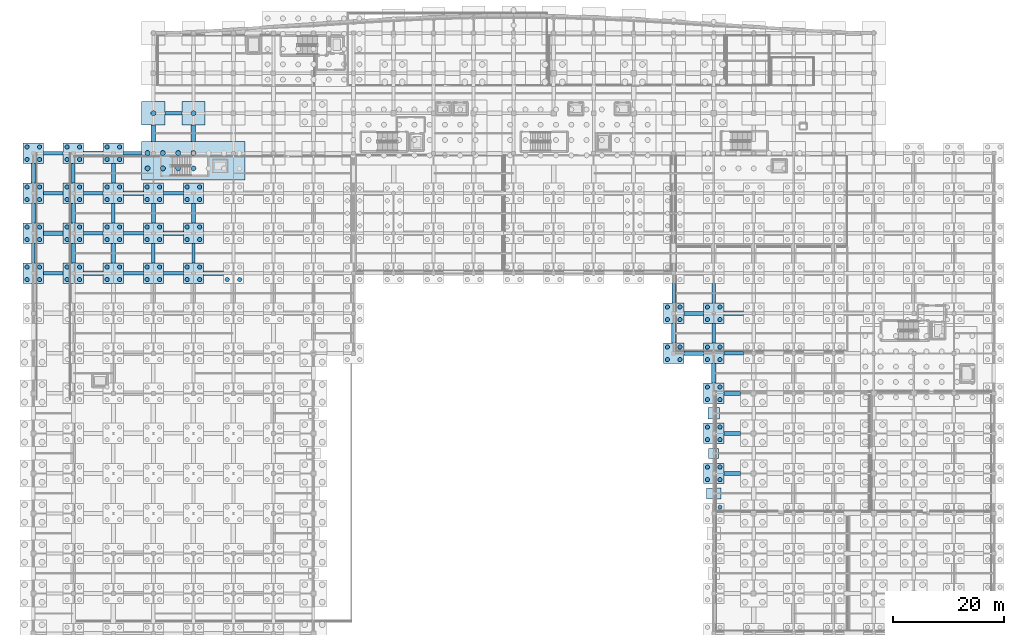
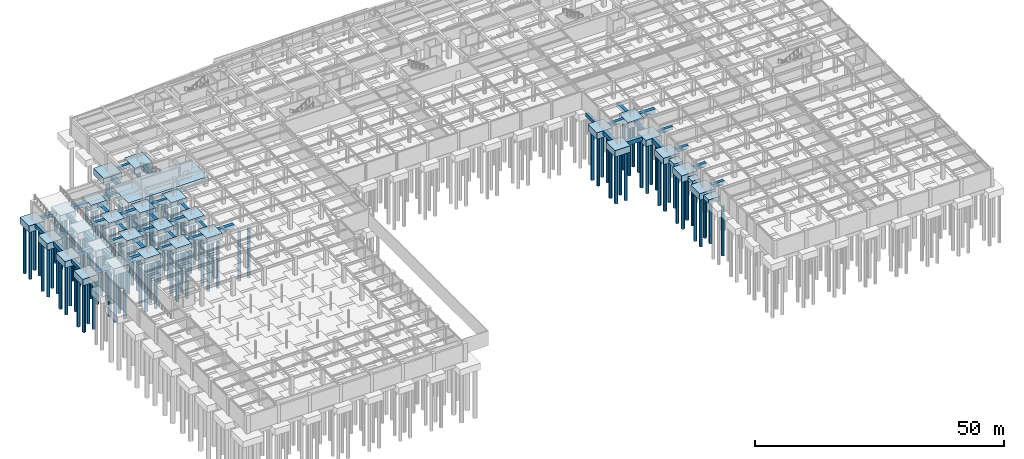
# One storey, part 4 of 48: 113 piles, 75 footings.
"""IFC4 building model written with IfcOpenShell, lengths in metres."""

import ifcopenshell
import ifcopenshell.guid

model = None  # the IFC model being written
_history = None  # IfcOwnerHistory: only IFC2X3 demands one
_inside = {}  # id of a spatial element -> (the spatial element, [elements in it])
_under = {}  # id of a project, library or spatial element -> (it, [spatial elements below it])
_declared = {}  # id of a project -> (the project, [libraries it declares])
_typed = {}  # id of a type object -> (the type object, [elements of that type])
_made_of = {}  # id of a material, layer set ... -> (it, [elements and type objects made of it])


def new_model(schema):
    """Start an empty IFC model of exactly this schema.

    Asked for "IFC4X3", IfcOpenShell would pick the latest addendum, in which some entities
    have other attributes; the version numbers below select the first issue.
    IFC2X3 requires an IfcOwnerHistory on every rooted entity: one is made here for all.
    """
    global model, _history
    if schema == "IFC4X3":
        model = ifcopenshell.file(schema_version=(4, 3, 0, 0))
    else:
        model = ifcopenshell.file(schema=schema)
    _inside.clear()
    _under.clear()
    _declared.clear()
    _typed.clear()
    _made_of.clear()
    _history = None
    if model.schema == "IFC2X3":
        org = make("IfcOrganization", Name="unknown")
        user = make(
            "IfcPersonAndOrganization",
            ThePerson=make("IfcPerson", FamilyName="unknown"),
            TheOrganization=org,
        )
        app = make(
            "IfcApplication",
            ApplicationDeveloper=org,
            Version="unknown",
            ApplicationFullName="unknown",
            ApplicationIdentifier="unknown",
        )
        _history = make(
            "IfcOwnerHistory",
            OwningUser=user,
            OwningApplication=app,
            ChangeAction="ADDED",
            CreationDate=0,
        )
    return model


def make(cls, **values):
    """One entity of the class cls with the attributes given. An attribute that is None is left unset."""
    return model.create_entity(
        cls, **{name: value for name, value in values.items() if value is not None}
    )


def rooted(cls, **values):
    """An entity with a GlobalId (a new one), such as an element, a storey or a relation."""
    return make(cls, GlobalId=ifcopenshell.guid.new(), OwnerHistory=_history, **values)


def si_unit(unit_type, name, prefix=None):
    """IfcSIUnit, for example si_unit("LENGTHUNIT", "METRE", prefix="MILLI")."""
    return make("IfcSIUnit", UnitType=unit_type, Prefix=prefix, Name=name)


def assignment(units):
    """IfcUnitAssignment: the units of a project."""
    return None if units is None else make("IfcUnitAssignment", Units=units)


def point(xyz):
    """IfcCartesianPoint."""
    return None if xyz is None else make("IfcCartesianPoint", Coordinates=xyz)


def direction(xyz):
    """IfcDirection."""
    return None if xyz is None else make("IfcDirection", DirectionRatios=xyz)


def frame(location, z_axis=None, x_axis=None):
    """IfcAxis2Placement3D, a coordinate frame: its origin and axes. An axis left out is left unset."""
    return make(
        "IfcAxis2Placement3D",
        Location=point(location),
        Axis=direction(z_axis),
        RefDirection=direction(x_axis),
    )


def frame_2d(location, x_axis=None):
    """IfcAxis2Placement2D, a coordinate frame in the plane: its origin and x axis."""
    return make(
        "IfcAxis2Placement2D", Location=point(location), RefDirection=direction(x_axis)
    )


def origin():
    """The frame at (0, 0, 0) with its axes left unset."""
    return frame((0.0, 0.0, 0.0))


def origin_2d():
    """The frame at (0, 0) in the plane with its x axis left unset."""
    return frame_2d((0.0, 0.0))


def place(relative_to, where):
    """IfcLocalPlacement: puts the frame where relative to a parent placement (None: the world)."""
    return make(
        "IfcLocalPlacement", PlacementRelTo=relative_to, RelativePlacement=where
    )


def context(
    kind, dimensions, precision=None, world=None, true_north=None, identifier=None
):
    """IfcGeometricRepresentationContext, for example the 3D "Model" context."""
    return make(
        "IfcGeometricRepresentationContext",
        ContextIdentifier=identifier,
        ContextType=kind,
        CoordinateSpaceDimension=dimensions,
        Precision=precision,
        WorldCoordinateSystem=world,
        TrueNorth=true_north,
    )


def subcontext(parent, identifier, kind, view, scale=None):
    """IfcGeometricRepresentationSubContext, for example "Body" below "Model"."""
    return make(
        "IfcGeometricRepresentationSubContext",
        ContextIdentifier=identifier,
        ContextType=kind,
        ParentContext=parent,
        TargetScale=scale,
        TargetView=view,
    )


def project(units=None, contexts=None):
    """IfcProject with its units and contexts."""
    return rooted(
        "IfcProject",
        Name="project",
        RepresentationContexts=contexts,
        UnitsInContext=assignment(units),
    )


def spatial(cls, under=None, at=None, **own):
    """A site, building, storey or space (cls), placed at a placement, below another one or the project."""
    s = rooted(cls, ObjectPlacement=at, **own)
    if under is not None:
        _under.setdefault(under.id(), (under, []))[1].append(s)
    return s


def profile(cls, at=None, kind="AREA", **sizes):
    """A parametric profile (cls). Its sizes go by their IFC names, for example OverallWidth=200.0."""
    return make(cls, ProfileType=kind, Position=at, **sizes)


def rectangle(**sizes):
    """IfcRectangleProfileDef."""
    return profile("IfcRectangleProfileDef", **sizes)


def circle(**sizes):
    """IfcCircleProfileDef."""
    return profile("IfcCircleProfileDef", **sizes)


def extrude(swept, where, along, depth):
    """IfcExtrudedAreaSolid: the profile swept, set in the frame where, extruded along a direction by depth."""
    return make(
        "IfcExtrudedAreaSolid",
        SweptArea=swept,
        Position=where,
        ExtrudedDirection=direction(along),
        Depth=depth,
    )


def shape(context_of_items, identifier, shape_type, items):
    """IfcShapeRepresentation: the items that make up one representation, for example the "Body"."""
    return make(
        "IfcShapeRepresentation",
        ContextOfItems=context_of_items,
        RepresentationIdentifier=identifier,
        RepresentationType=shape_type,
        Items=items,
    )


def material(Name=None, Category=None):
    """IfcMaterial."""
    return make("IfcMaterial", Name=Name, Category=Category)


def material_profile(
    of_material, cross_section, Name=None, Category=None, Priority=None
):
    """IfcMaterialProfile: a cross section and its material."""
    return make(
        "IfcMaterialProfile",
        Name=Name,
        Material=of_material,
        Profile=cross_section,
        Priority=Priority,
        Category=Category,
    )


def profile_set(profiles, Name=None, composite=None):
    """IfcMaterialProfileSet."""
    return make(
        "IfcMaterialProfileSet",
        Name=Name,
        MaterialProfiles=profiles,
        CompositeProfile=composite,
    )


def made_of(thing, what):
    """Note that an element or type object is made of a material, layer set ...; save() writes the relation."""
    if what is not None:
        _made_of.setdefault(what.id(), (what, []))[1].append(thing)
    return thing


def type_object(cls, material=None, **own):
    """A type object (cls), such as IfcWallType, which elements share."""
    return made_of(rooted(cls, **own), material)


def element(
    cls,
    number,
    at=None,
    inside=None,
    cuts=None,
    type_object=None,
    material=None,
    context=None,
    identifier="Body",
    shape_type=None,
    held_by="IfcProductDefinitionShape",
    body=None,
    shapes=None,
    **own,
):
    """One element of the class cls, such as IfcWall. Its Tag is "e" and its number.

    at: its placement. inside: the storey or other place that contains it. cuts: it is an
    opening in that element (IfcRelVoidsElement). A single representation is given by context,
    identifier, shape_type and body (its items); several are given by shapes. held_by: the class
    of the entity that holds the representations. save() writes the other relations.
    """
    e = rooted(cls, Tag="e%d" % number, ObjectPlacement=at, **own)
    if body is not None:
        shapes = [shape(context, identifier, shape_type, body)]
    if shapes is not None:
        e.Representation = make(held_by, Representations=shapes)
    if inside is not None:
        _inside.setdefault(inside.id(), (inside, []))[1].append(e)
    if cuts is not None:
        rooted(
            "IfcRelVoidsElement", RelatingBuildingElement=cuts, RelatedOpeningElement=e
        )
    if type_object is not None:
        _typed.setdefault(type_object.id(), (type_object, []))[1].append(e)
    return made_of(e, material)


def aggregate(whole, parts):
    """IfcRelAggregates: a whole, such as a stair, and the parts it consists of."""
    return rooted("IfcRelAggregates", RelatingObject=whole, RelatedObjects=parts)


def save(model, path):
    """Write the relations noted so far, then the file.

    IfcRelAggregates (storeys below a building ...), IfcRelContainedInSpatialStructure (elements
    in a storey), IfcRelDefinesByType, IfcRelAssociatesMaterial and IfcRelDeclares: one each for
    every whole, place, type object, material and project.
    """
    for whole, parts in _under.values():
        aggregate(whole, parts)
    for where, things in _inside.values():
        rooted(
            "IfcRelContainedInSpatialStructure",
            RelatedElements=things,
            RelatingStructure=where,
        )
    for kind, things in _typed.values():
        rooted("IfcRelDefinesByType", RelatedObjects=things, RelatingType=kind)
    for what, things in _made_of.values():
        rooted("IfcRelAssociatesMaterial", RelatedObjects=things, RelatingMaterial=what)
    for by, libraries in _declared.values():
        rooted("IfcRelDeclares", RelatingContext=by, RelatedDefinitions=libraries)
    model.write(path)


model = new_model("IFC4")

# Units and contexts
model_context = context("Model", 3, precision=1e-05, world=origin(), true_north=direction((0.0, 1.0)))
body_context = subcontext(model_context, "Body", "Model", "MODEL_VIEW")
ifc_project = project(units=[si_unit("LENGTHUNIT", "METRE"), si_unit("AREAUNIT", "SQUARE_METRE"), si_unit("VOLUMEUNIT", "CUBIC_METRE"), si_unit("PLANEANGLEUNIT", "RADIAN"), si_unit("MASSUNIT", "GRAM", prefix="KILO")], contexts=[model_context])

# Site, building, storey
site_placement = place(None, origin())
site = spatial("IfcSite", under=ifc_project, at=site_placement, CompositionType="ELEMENT")
building_placement = place(site_placement, origin())
building = spatial("IfcBuilding", under=site, at=building_placement, Name="Carrowvane Square Congress Hotel", CompositionType="ELEMENT")
storey_placement = place(building_placement, frame((0.0, 0.0, -4.5)))
storey = spatial("IfcBuildingStorey", under=building, at=storey_placement, Name="B01", CompositionType="ELEMENT", Elevation=-4.5)

# Footings
ifc_material_1 = material(Name="Concrete C35/45", Category="concrete")
ifc_material_profile_1 = material_profile(ifc_material_1, rectangle(XDim=0.60009765625, YDim=0.800048828125, at=origin_2d()), Name="RC 600x800")
ifc_profile_set_1 = profile_set([ifc_material_profile_1], Name="Concrete C35/45")
footing_type_1 = type_object("IfcFootingType", Name="FTG-BM-600x800", PredefinedType="FOOTING_BEAM", material=ifc_profile_set_1)
for number, where, z_axis, x_axis, name in (
    (1, (11.60009765625, 72.02490234375, -0.39990234375), (0.0, 1.0, 0.0), (-1.0, 0.0, 0.0), "Ground tie beam 10"),
    (2, (18.800048828125, 86.425048828125, -0.39990234375), (0.0, 1.0, 0.0), (-1.0, 0.0, 0.0), "Ground tie beam 24"),
):
    element("IfcFooting", number, at=place(storey_placement, frame(where, z_axis=z_axis, x_axis=x_axis)), inside=storey, type_object=footing_type_1, Name=name, PredefinedType="FOOTING_BEAM", context=body_context, shape_type="SweptSolid", body=[
        extrude(rectangle(XDim=0.60009765625, YDim=0.800048828125, at=origin_2d()), origin(), (0.0, 0.0, 1.0), 3.550048828125),
    ])
footing_1_placement = place(storey_placement, frame((26.0, 79.22509765625, -0.39990234375), z_axis=(0.0, 1.0, 0.0), x_axis=(-1.0, 0.0, 0.0)))
element("IfcFooting", 3, at=footing_1_placement, inside=storey, type_object=footing_type_1, Name="Ground tie beam 35", PredefinedType="FOOTING_BEAM", context=body_context, shape_type="SweptSolid", body=[
    extrude(rectangle(XDim=0.60009765625, YDim=0.800048828125, at=origin_2d()), origin(), (0.0, 0.0, 1.0), 3.5498046875),
])
for number, where, z_axis, x_axis, name in (
    (4, (33.199951171875, 72.02490234375, -0.39990234375), (0.0, 1.0, 0.0), (-1.0, 0.0, 0.0), "Ground tie beam 46"),
    (5, (40.39990234375, 72.02490234375, -0.39990234375), (0.0, 1.0, 0.0), (-1.0, 0.0, 0.0), "Ground tie beam 60"),
    (6, (126.800048828125, 64.824951171875, -0.39990234375), (0.0, 1.0, 0.0), (-1.0, 0.0, 0.0), "Ground tie beam 141"),
    (7, (134.0, 57.625, -0.39990234375), (0.0, 1.0, 0.0), (-1.0, 0.0, 0.0), "Ground tie beam 149"),
    (8, (135.824951171875, 55.800048828125, -0.39990234375), (1.0, 0.0, 0.0), (0.0, 1.0, 0.0), "Ground tie beam 348"),
    (9, (27.824951171875, 70.199951171875, -0.39990234375), (1.0, 0.0, 0.0), (0.0, 1.0, 0.0), "Ground tie beam 370"),
    (10, (20.625, 77.39990234375, -0.39990234375), (1.0, 0.0, 0.0), (0.0, 1.0, 0.0), "Ground tie beam 393"),
    (11, (13.425048828125, 84.60009765625, -0.39990234375), (1.0, 0.0, 0.0), (0.0, 1.0, 0.0), "Ground tie beam 416"),
    (12, (35.02490234375, 84.60009765625, -0.39990234375), (1.0, 0.0, 0.0), (0.0, 1.0, 0.0), "Ground tie beam 419"),
):
    element("IfcFooting", number, at=place(storey_placement, frame(where, z_axis=z_axis, x_axis=x_axis)), inside=storey, type_object=footing_type_1, Name=name, PredefinedType="FOOTING_BEAM", context=body_context, shape_type="SweptSolid", body=[
        extrude(rectangle(XDim=0.60009765625, YDim=0.800048828125, at=origin_2d()), origin(), (0.0, 0.0, 1.0), 3.550048828125),
    ])
footing_2_placement = place(storey_placement, frame((27.824951171875, 91.800048828125, -0.39990234375), z_axis=(1.0, 0.0, 0.0), x_axis=(0.0, 1.0, 0.0)))
element("IfcFooting", 13, at=footing_2_placement, inside=storey, type_object=footing_type_1, Name="Ground tie beam 442", PredefinedType="FOOTING_BEAM", context=body_context, shape_type="SweptSolid", body=[
    extrude(rectangle(XDim=0.60009765625, YDim=0.800048828125, at=origin_2d()), origin(), (0.0, 0.0, 1.0), 3.275146484375),
])
footing_3_placement = place(storey_placement, frame((35.300048828125, 99.0, -0.39990234375), z_axis=(1.0, 0.0, 0.0), x_axis=(0.0, 1.0, 0.0)))
element("IfcFooting", 14, at=footing_3_placement, inside=storey, type_object=footing_type_1, Name="Ground tie beam 453", PredefinedType="FOOTING_BEAM", context=body_context, shape_type="SweptSolid", body=[
    extrude(rectangle(XDim=0.60009765625, YDim=0.800048828125, at=origin_2d()), origin(), (0.0, 0.0, 1.0), 3.0),
])
ifc_material_2 = material(Name="Concrete C35/45", Category="concrete")
ifc_material_profile_2 = material_profile(ifc_material_2, rectangle(XDim=0.699951171875, YDim=0.89990234375, at=origin_2d()), Name="RC 700x900")
ifc_profile_set_2 = profile_set([ifc_material_profile_2], Name="Concrete C35/45")
footing_type_2 = type_object("IfcFootingType", Name="FTG-BM-700x900", PredefinedType="FOOTING_BEAM", material=ifc_profile_set_2)
footing_4_placement = place(storey_placement, frame((11.60009765625, 79.22509765625, -0.449951171875), z_axis=(0.0, 1.0, 0.0), x_axis=(-1.0, 0.0, 0.0)))
element("IfcFooting", 15, at=footing_4_placement, inside=storey, type_object=footing_type_2, Name="Ground tie beam 11", PredefinedType="FOOTING_BEAM", context=body_context, shape_type="SweptSolid", body=[
    extrude(rectangle(XDim=0.699951171875, YDim=0.89990234375, at=origin_2d()), origin(), (0.0, 0.0, 1.0), 3.5498046875),
])
for number, where, z_axis, x_axis, name in (
    (16, (18.800048828125, 72.02490234375, -0.449951171875), (0.0, 1.0, 0.0), (-1.0, 0.0, 0.0), "Ground tie beam 22"),
    (17, (26.0, 86.425048828125, -0.449951171875), (0.0, 1.0, 0.0), (-1.0, 0.0, 0.0), "Ground tie beam 36"),
):
    element("IfcFooting", number, at=place(storey_placement, frame(where, z_axis=z_axis, x_axis=x_axis)), inside=storey, type_object=footing_type_2, Name=name, PredefinedType="FOOTING_BEAM", context=body_context, shape_type="SweptSolid", body=[
        extrude(rectangle(XDim=0.699951171875, YDim=0.89990234375, at=origin_2d()), origin(), (0.0, 0.0, 1.0), 3.550048828125),
    ])
for number, where, z_axis, x_axis, name in (
    (18, (33.199951171875, 79.22509765625, -0.449951171875), (0.0, 1.0, 0.0), (-1.0, 0.0, 0.0), "Ground tie beam 47"),
    (19, (40.39990234375, 79.22509765625, -0.449951171875), (0.0, 1.0, 0.0), (-1.0, 0.0, 0.0), "Ground tie beam 61"),
):
    element("IfcFooting", number, at=place(storey_placement, frame(where, z_axis=z_axis, x_axis=x_axis)), inside=storey, type_object=footing_type_2, Name=name, PredefinedType="FOOTING_BEAM", context=body_context, shape_type="SweptSolid", body=[
        extrude(rectangle(XDim=0.699951171875, YDim=0.89990234375, at=origin_2d()), origin(), (0.0, 0.0, 1.0), 3.5498046875),
    ])
footing_5_placement = place(storey_placement, frame((134.0, 64.824951171875, -0.449951171875), z_axis=(0.0, 1.0, 0.0), x_axis=(-1.0, 0.0, 0.0)))
element("IfcFooting", 20, at=footing_5_placement, inside=storey, type_object=footing_type_2, Name="Ground tie beam 150", PredefinedType="FOOTING_BEAM", context=body_context, shape_type="SweptSolid", body=[
    extrude(rectangle(XDim=0.699951171875, YDim=0.89990234375, at=origin_2d()), origin(), (0.0, 0.0, 1.0), 3.550048828125),
])
for number, where, z_axis, x_axis, name in (
    (21, (135.824951171875, 34.199951171875, -0.449951171875), (1.0, 0.0, 0.0), (0.0, 1.0, 0.0), "Ground tie beam 307"),
    (22, (135.824951171875, 41.39990234375, -0.449951171875), (1.0, 0.0, 0.0), (0.0, 1.0, 0.0), "Ground tie beam 321"),
    (23, (135.824951171875, 48.60009765625, -0.449951171875), (1.0, 0.0, 0.0), (0.0, 1.0, 0.0), "Ground tie beam 335"),
):
    element("IfcFooting", number, at=place(storey_placement, frame(where, z_axis=z_axis, x_axis=x_axis)), inside=storey, type_object=footing_type_2, Name=name, PredefinedType="FOOTING_BEAM", context=body_context, shape_type="SweptSolid", body=[
        extrude(rectangle(XDim=0.699951171875, YDim=0.89990234375, at=origin_2d()), origin(), (0.0, 0.0, 1.0), 2.97509765625),
    ])
for number, where, z_axis, x_axis, name in (
    (24, (128.625, 63.0, -0.449951171875), (1.0, 0.0, 0.0), (0.0, 1.0, 0.0), "Ground tie beam 360"),
    (25, (13.425048828125, 70.199951171875, -0.449951171875), (1.0, 0.0, 0.0), (0.0, 1.0, 0.0), "Ground tie beam 368"),
    (26, (35.02490234375, 70.199951171875, -0.449951171875), (1.0, 0.0, 0.0), (0.0, 1.0, 0.0), "Ground tie beam 371"),
    (27, (27.824951171875, 77.39990234375, -0.449951171875), (1.0, 0.0, 0.0), (0.0, 1.0, 0.0), "Ground tie beam 394"),
    (28, (20.625, 84.60009765625, -0.449951171875), (1.0, 0.0, 0.0), (0.0, 1.0, 0.0), "Ground tie beam 417"),
    (29, (13.425048828125, 91.800048828125, -0.449951171875), (1.0, 0.0, 0.0), (0.0, 1.0, 0.0), "Ground tie beam 440"),
):
    element("IfcFooting", number, at=place(storey_placement, frame(where, z_axis=z_axis, x_axis=x_axis)), inside=storey, type_object=footing_type_2, Name=name, PredefinedType="FOOTING_BEAM", context=body_context, shape_type="SweptSolid", body=[
        extrude(rectangle(XDim=0.699951171875, YDim=0.89990234375, at=origin_2d()), origin(), (0.0, 0.0, 1.0), 3.550048828125),
    ])
ifc_material_3 = material(Name="Concrete C35/45", Category="concrete")
ifc_material_profile_3 = material_profile(ifc_material_3, rectangle(XDim=0.800048828125, YDim=1.0, at=origin_2d()), Name="RC 800x1000")
ifc_profile_set_3 = profile_set([ifc_material_profile_3], Name="Concrete C35/45")
footing_type_3 = type_object("IfcFootingType", Name="FTG-BM-800x1000", PredefinedType="FOOTING_BEAM", material=ifc_profile_set_3)
footing_6_placement = place(storey_placement, frame((11.60009765625, 86.425048828125, -0.5), z_axis=(0.0, 1.0, 0.0), x_axis=(-1.0, 0.0, 0.0)))
element("IfcFooting", 30, at=footing_6_placement, inside=storey, type_object=footing_type_3, Name="Ground tie beam 12", PredefinedType="FOOTING_BEAM", context=body_context, shape_type="SweptSolid", body=[
    extrude(rectangle(XDim=0.800048828125, YDim=1.0, at=origin_2d()), origin(), (0.0, 0.0, 1.0), 3.550048828125),
])
footing_7_placement = place(storey_placement, frame((18.800048828125, 79.22509765625, -0.5), z_axis=(0.0, 1.0, 0.0), x_axis=(-1.0, 0.0, 0.0)))
element("IfcFooting", 31, at=footing_7_placement, inside=storey, type_object=footing_type_3, Name="Ground tie beam 23", PredefinedType="FOOTING_BEAM", context=body_context, shape_type="SweptSolid", body=[
    extrude(rectangle(XDim=0.800048828125, YDim=1.0, at=origin_2d()), origin(), (0.0, 0.0, 1.0), 3.5498046875),
])
footing_8_placement = place(storey_placement, frame((26.0, 72.02490234375, -0.5), z_axis=(0.0, 1.0, 0.0), x_axis=(-1.0, 0.0, 0.0)))
element("IfcFooting", 32, at=footing_8_placement, inside=storey, type_object=footing_type_3, Name="Ground tie beam 34", PredefinedType="FOOTING_BEAM", context=body_context, shape_type="SweptSolid", body=[
    extrude(rectangle(XDim=0.800048828125, YDim=1.0, at=origin_2d()), origin(), (0.0, 0.0, 1.0), 3.550048828125),
])
for number, where, z_axis, x_axis, name in (
    (33, (33.199951171875, 93.89990234375, -0.5), (0.0, 1.0, 0.0), (-1.0, 0.0, 0.0), "Ground tie beam 48"),
    (34, (40.39990234375, 93.89990234375, -0.5), (0.0, 1.0, 0.0), (-1.0, 0.0, 0.0), "Ground tie beam 62"),
):
    element("IfcFooting", number, at=place(storey_placement, frame(where, z_axis=z_axis, x_axis=x_axis)), inside=storey, type_object=footing_type_3, Name=name, PredefinedType="FOOTING_BEAM", context=body_context, shape_type="SweptSolid", body=[
        extrude(rectangle(XDim=0.800048828125, YDim=1.0, at=origin_2d()), origin(), (0.0, 0.0, 1.0), 3.0),
    ])
for number, where, z_axis, x_axis, name in (
    (35, (126.800048828125, 57.625, -0.5), (0.0, 1.0, 0.0), (-1.0, 0.0, 0.0), "Ground tie beam 140"),
    (36, (134.0, 50.425048828125, -0.5), (0.0, 1.0, 0.0), (-1.0, 0.0, 0.0), "Ground tie beam 148"),
    (37, (128.625, 55.800048828125, -0.5), (1.0, 0.0, 0.0), (0.0, 1.0, 0.0), "Ground tie beam 347"),
    (38, (135.824951171875, 63.0, -0.5), (1.0, 0.0, 0.0), (0.0, 1.0, 0.0), "Ground tie beam 361"),
    (39, (20.625, 70.199951171875, -0.5), (1.0, 0.0, 0.0), (0.0, 1.0, 0.0), "Ground tie beam 369"),
):
    element("IfcFooting", number, at=place(storey_placement, frame(where, z_axis=z_axis, x_axis=x_axis)), inside=storey, type_object=footing_type_3, Name=name, PredefinedType="FOOTING_BEAM", context=body_context, shape_type="SweptSolid", body=[
        extrude(rectangle(XDim=0.800048828125, YDim=1.0, at=origin_2d()), origin(), (0.0, 0.0, 1.0), 3.550048828125),
    ])
footing_9_placement = place(storey_placement, frame((42.22509765625, 70.199951171875, -0.5), z_axis=(1.0, 0.0, 0.0), x_axis=(0.0, 1.0, 0.0)))
element("IfcFooting", 40, at=footing_9_placement, inside=storey, type_object=footing_type_3, Name="Ground tie beam 372", PredefinedType="FOOTING_BEAM", context=body_context, shape_type="SweptSolid", body=[
    extrude(rectangle(XDim=0.800048828125, YDim=1.0, at=origin_2d()), origin(), (0.0, 0.0, 1.0), 3.5498046875),
])
for number, where, z_axis, x_axis, name in (
    (41, (13.425048828125, 77.39990234375, -0.5), (1.0, 0.0, 0.0), (0.0, 1.0, 0.0), "Ground tie beam 392"),
    (42, (35.02490234375, 77.39990234375, -0.5), (1.0, 0.0, 0.0), (0.0, 1.0, 0.0), "Ground tie beam 395"),
    (43, (27.824951171875, 84.60009765625, -0.5), (1.0, 0.0, 0.0), (0.0, 1.0, 0.0), "Ground tie beam 418"),
    (44, (20.625, 91.800048828125, -0.5), (1.0, 0.0, 0.0), (0.0, 1.0, 0.0), "Ground tie beam 441"),
):
    element("IfcFooting", number, at=place(storey_placement, frame(where, z_axis=z_axis, x_axis=x_axis)), inside=storey, type_object=footing_type_3, Name=name, PredefinedType="FOOTING_BEAM", context=body_context, shape_type="SweptSolid", body=[
        extrude(rectangle(XDim=0.800048828125, YDim=1.0, at=origin_2d()), origin(), (0.0, 0.0, 1.0), 3.550048828125),
    ])
ifc_material_4 = material(Name="Concrete C35/45", Category="concrete")
footing_type_4 = type_object("IfcFootingType", Name="FTG-PAD-1800", PredefinedType="PAD_FOOTING", material=ifc_material_4)
footing_10_placement = place(storey_placement, frame((134.0, 37.800048828125, -0.89990234375), z_axis=(0.0, 0.0, 1.0), x_axis=(1.0, 0.0, 0.0)))
element("IfcFooting", 45, at=footing_10_placement, inside=storey, type_object=footing_type_4, Name="Colonnade pad footing 9", PredefinedType="PAD_FOOTING", context=body_context, shape_type="SweptSolid", body=[
    extrude(rectangle(XDim=1.800048828125, YDim=1.800048828125, at=origin_2d()), origin(), (0.0, 0.0, 1.0), 0.89990234375),
])
ifc_material_5 = material(Name="Concrete C35/45", Category="concrete")
footing_type_5 = type_object("IfcFootingType", Name="FTG-PAD-2100", PredefinedType="PAD_FOOTING", material=ifc_material_5)
footing_11_placement = place(storey_placement, frame((134.0, 45.0, -1.0), z_axis=(0.0, 0.0, 1.0), x_axis=(1.0, 0.0, 0.0)))
element("IfcFooting", 46, at=footing_11_placement, inside=storey, type_object=footing_type_5, Name="Colonnade pad footing 10", PredefinedType="PAD_FOOTING", context=body_context, shape_type="SweptSolid", body=[
    extrude(rectangle(XDim=2.10009765625, YDim=2.10009765625, at=origin_2d()), origin(), (0.0, 0.0, 1.0), 1.0),
])
ifc_material_6 = material(Name="Concrete C35/45", Category="concrete")
footing_type_6 = type_object("IfcFootingType", Name="FTG-PAD-2600x2000", PredefinedType="PAD_FOOTING", material=ifc_material_6)
footing_12_placement = place(storey_placement, frame((134.0, 30.60009765625, -1.0), z_axis=(0.0, 0.0, 1.0), x_axis=(1.0, 0.0, 0.0)))
element("IfcFooting", 47, at=footing_12_placement, inside=storey, type_object=footing_type_6, Name="Colonnade pad footing 8", PredefinedType="PAD_FOOTING", context=body_context, shape_type="SweptSolid", body=[
    extrude(rectangle(XDim=2.60009765625, YDim=2.0, at=origin_2d()), origin(), (0.0, 0.0, 1.0), 1.0),
])
ifc_material_7 = material(Name="Concrete C35/45", Category="concrete")
footing_type_7 = type_object("IfcFootingType", Name="FTG-PC-02", PredefinedType="PILE_CAP", material=ifc_material_7)
for number, where, z_axis, x_axis, name in (
    (48, (134.0, 34.199951171875, -1.60009765625), (0.0, 0.0, 1.0), (1.0, 0.0, 0.0), "B01 PC-2 76"),
    (49, (134.0, 41.39990234375, -1.60009765625), (0.0, 0.0, 1.0), (1.0, 0.0, 0.0), "B01 PC-2 92"),
    (50, (134.0, 48.60009765625, -1.60009765625), (0.0, 0.0, 1.0), (1.0, 0.0, 0.0), "B01 PC-2 107"),
    (51, (126.800048828125, 55.800048828125, -1.60009765625), (0.0, 0.0, 1.0), (1.0, 0.0, 0.0), "B01 PC-2 120"),
    (52, (134.0, 55.800048828125, -1.60009765625), (0.0, 0.0, 1.0), (1.0, 0.0, 0.0), "B01 PC-2 121"),
    (53, (126.800048828125, 63.0, -1.60009765625), (0.0, 0.0, 1.0), (1.0, 0.0, 0.0), "B01 PC-2 135"),
    (54, (134.0, 63.0, -1.60009765625), (0.0, 0.0, 1.0), (1.0, 0.0, 0.0), "B01 PC-2 136"),
    (55, (11.60009765625, 70.199951171875, -1.60009765625), (0.0, 0.0, 1.0), (1.0, 0.0, 0.0), "B01 PC-2 144"),
    (56, (18.800048828125, 70.199951171875, -1.60009765625), (0.0, 0.0, 1.0), (1.0, 0.0, 0.0), "B01 PC-2 145"),
    (57, (26.0, 70.199951171875, -1.60009765625), (0.0, 0.0, 1.0), (1.0, 0.0, 0.0), "B01 PC-2 146"),
    (58, (33.199951171875, 70.199951171875, -1.60009765625), (0.0, 0.0, 1.0), (1.0, 0.0, 0.0), "B01 PC-2 147"),
    (59, (40.39990234375, 70.199951171875, -1.60009765625), (0.0, 0.0, 1.0), (1.0, 0.0, 0.0), "B01 PC-2 148"),
    (60, (11.60009765625, 77.39990234375, -1.60009765625), (0.0, 0.0, 1.0), (1.0, 0.0, 0.0), "B01 PC-2 169"),
    (61, (18.800048828125, 77.39990234375, -1.60009765625), (0.0, 0.0, 1.0), (1.0, 0.0, 0.0), "B01 PC-2 170"),
    (62, (26.0, 77.39990234375, -1.60009765625), (0.0, 0.0, 1.0), (1.0, 0.0, 0.0), "B01 PC-2 171"),
    (63, (33.199951171875, 77.39990234375, -1.60009765625), (0.0, 0.0, 1.0), (1.0, 0.0, 0.0), "B01 PC-2 172"),
    (64, (40.39990234375, 77.39990234375, -1.60009765625), (0.0, 0.0, 1.0), (1.0, 0.0, 0.0), "B01 PC-2 173"),
    (65, (11.60009765625, 84.60009765625, -1.60009765625), (0.0, 0.0, 1.0), (1.0, 0.0, 0.0), "B01 PC-2 194"),
    (66, (18.800048828125, 84.60009765625, -1.60009765625), (0.0, 0.0, 1.0), (1.0, 0.0, 0.0), "B01 PC-2 195"),
    (67, (26.0, 84.60009765625, -1.60009765625), (0.0, 0.0, 1.0), (1.0, 0.0, 0.0), "B01 PC-2 196"),
    (68, (33.199951171875, 84.60009765625, -1.60009765625), (0.0, 0.0, 1.0), (1.0, 0.0, 0.0), "B01 PC-2 197"),
    (69, (40.39990234375, 84.60009765625, -1.60009765625), (0.0, 0.0, 1.0), (1.0, 0.0, 0.0), "B01 PC-2 198"),
    (70, (11.60009765625, 91.800048828125, -1.60009765625), (0.0, 0.0, 1.0), (1.0, 0.0, 0.0), "B01 PC-2 224"),
    (71, (18.800048828125, 91.800048828125, -1.60009765625), (0.0, 0.0, 1.0), (1.0, 0.0, 0.0), "B01 PC-2 225"),
    (72, (26.0, 91.800048828125, -1.60009765625), (0.0, 0.0, 1.0), (1.0, 0.0, 0.0), "B01 PC-2 226"),
):
    element("IfcFooting", number, at=place(storey_placement, frame(where, z_axis=z_axis, x_axis=x_axis)), inside=storey, type_object=footing_type_7, Name=name, PredefinedType="PILE_CAP", context=body_context, shape_type="SweptSolid", body=[
        extrude(rectangle(XDim=3.64990234375, YDim=3.64990234375, at=origin_2d()), origin(), (0.0, 0.0, 1.0), 1.60009765625),
    ])
ifc_material_8 = material(Name="Concrete C35/45", Category="concrete")
footing_type_8 = type_object("IfcFootingType", Name="FTG-PC-04", PredefinedType="PILE_CAP", material=ifc_material_8)
for number, where, z_axis, x_axis, name in (
    (73, (33.199951171875, 99.0, -1.60009765625), (0.0, 0.0, 1.0), (1.0, 0.0, 0.0), "B01 PC-4 232"),
    (74, (40.39990234375, 99.0, -1.60009765625), (0.0, 0.0, 1.0), (1.0, 0.0, 0.0), "B01 PC-4 233"),
):
    element("IfcFooting", number, at=place(storey_placement, frame(where, z_axis=z_axis, x_axis=x_axis)), inside=storey, type_object=footing_type_8, Name=name, PredefinedType="PILE_CAP", context=body_context, shape_type="SweptSolid", body=[
        extrude(rectangle(XDim=4.199951171875, YDim=4.199951171875, at=origin_2d()), origin(), (0.0, 0.0, 1.0), 1.60009765625),
    ])
ifc_material_9 = material(Name="Concrete C35/45", Category="concrete")
footing_type_9 = type_object("IfcFootingType", Name="FTG-RAFT-02", PredefinedType="PILE_CAP", material=ifc_material_9)
footing_13_placement = place(storey_placement, frame((40.39990234375, 90.449951171875, -1.60009765625), z_axis=(0.0, 0.0, 1.0), x_axis=(1.0, 0.0, 0.0)))
element("IfcFooting", 75, at=footing_13_placement, inside=storey, type_object=footing_type_9, Name="B01 RF-2 215", PredefinedType="PILE_CAP", context=body_context, shape_type="SweptSolid", body=[
    extrude(rectangle(XDim=18.60009765625, YDim=6.89990234375, at=origin_2d()), origin(), (0.0, 0.0, 1.0), 1.60009765625),
])

# Piles
ifc_material_10 = material(Name="Concrete C35/45", Category="concrete")
ifc_material_profile_4 = material_profile(ifc_material_10, circle(Radius=0.375, at=origin_2d()), Name="PILE D750")
ifc_profile_set_4 = profile_set([ifc_material_profile_4], Name="Concrete C35/45")
pile_type_1 = type_object("IfcPileType", Name="PILE-B-750", PredefinedType="BORED", material=ifc_profile_set_4)
for number, where, z_axis, x_axis, name in (
    (76, (135.125, 28.125, -1.5), (0.0, 0.0, -1.0), (1.0, 0.0, 0.0), "Bored pile P-1-0240"),
    (77, (132.875, 33.074951171875, -1.5), (0.0, 0.0, -1.0), (1.0, 0.0, 0.0), "Bored pile P-1-0301"),
    (78, (132.875, 35.324951171875, -1.5), (0.0, 0.0, -1.0), (1.0, 0.0, 0.0), "Bored pile P-1-0302"),
    (79, (135.125, 33.074951171875, -1.5), (0.0, 0.0, -1.0), (1.0, 0.0, 0.0), "Bored pile P-1-0303"),
    (80, (135.125, 35.324951171875, -1.5), (0.0, 0.0, -1.0), (1.0, 0.0, 0.0), "Bored pile P-1-0304"),
    (81, (132.875, 40.27490234375, -1.5), (0.0, 0.0, -1.0), (1.0, 0.0, 0.0), "Bored pile P-1-0365"),
    (82, (132.875, 42.52490234375, -1.5), (0.0, 0.0, -1.0), (1.0, 0.0, 0.0), "Bored pile P-1-0366"),
    (83, (135.125, 40.27490234375, -1.5), (0.0, 0.0, -1.0), (1.0, 0.0, 0.0), "Bored pile P-1-0367"),
    (84, (135.125, 42.52490234375, -1.5), (0.0, 0.0, -1.0), (1.0, 0.0, 0.0), "Bored pile P-1-0368"),
    (85, (132.875, 47.47509765625, -1.5), (0.0, 0.0, -1.0), (1.0, 0.0, 0.0), "Bored pile P-1-0461"),
    (86, (132.875, 49.72509765625, -1.5), (0.0, 0.0, -1.0), (1.0, 0.0, 0.0), "Bored pile P-1-0462"),
    (87, (135.125, 47.47509765625, -1.5), (0.0, 0.0, -1.0), (1.0, 0.0, 0.0), "Bored pile P-1-0463"),
    (88, (135.125, 49.72509765625, -1.5), (0.0, 0.0, -1.0), (1.0, 0.0, 0.0), "Bored pile P-1-0464"),
    (89, (125.675048828125, 54.675048828125, -1.5), (0.0, 0.0, -1.0), (1.0, 0.0, 0.0), "Bored pile P-1-0513"),
    (90, (125.675048828125, 56.925048828125, -1.5), (0.0, 0.0, -1.0), (1.0, 0.0, 0.0), "Bored pile P-1-0514"),
    (91, (127.925048828125, 54.675048828125, -1.5), (0.0, 0.0, -1.0), (1.0, 0.0, 0.0), "Bored pile P-1-0515"),
    (92, (127.925048828125, 56.925048828125, -1.5), (0.0, 0.0, -1.0), (1.0, 0.0, 0.0), "Bored pile P-1-0516"),
    (93, (132.875, 54.675048828125, -1.5), (0.0, 0.0, -1.0), (1.0, 0.0, 0.0), "Bored pile P-1-0517"),
    (94, (132.875, 56.925048828125, -1.5), (0.0, 0.0, -1.0), (1.0, 0.0, 0.0), "Bored pile P-1-0518"),
    (95, (135.125, 54.675048828125, -1.5), (0.0, 0.0, -1.0), (1.0, 0.0, 0.0), "Bored pile P-1-0519"),
    (96, (135.125, 56.925048828125, -1.5), (0.0, 0.0, -1.0), (1.0, 0.0, 0.0), "Bored pile P-1-0520"),
    (97, (125.675048828125, 61.875, -1.5), (0.0, 0.0, -1.0), (1.0, 0.0, 0.0), "Bored pile P-1-0573"),
    (98, (125.675048828125, 64.125, -1.5), (0.0, 0.0, -1.0), (1.0, 0.0, 0.0), "Bored pile P-1-0574"),
    (99, (127.925048828125, 61.875, -1.5), (0.0, 0.0, -1.0), (1.0, 0.0, 0.0), "Bored pile P-1-0575"),
    (100, (127.925048828125, 64.125, -1.5), (0.0, 0.0, -1.0), (1.0, 0.0, 0.0), "Bored pile P-1-0576"),
    (101, (132.875, 61.875, -1.5), (0.0, 0.0, -1.0), (1.0, 0.0, 0.0), "Bored pile P-1-0577"),
    (102, (132.875, 64.125, -1.5), (0.0, 0.0, -1.0), (1.0, 0.0, 0.0), "Bored pile P-1-0578"),
    (103, (135.125, 61.875, -1.5), (0.0, 0.0, -1.0), (1.0, 0.0, 0.0), "Bored pile P-1-0579"),
    (104, (135.125, 64.125, -1.5), (0.0, 0.0, -1.0), (1.0, 0.0, 0.0), "Bored pile P-1-0580"),
    (105, (10.47509765625, 69.074951171875, -1.5), (0.0, 0.0, -1.0), (1.0, 0.0, 0.0), "Bored pile P-1-0609"),
    (106, (10.47509765625, 71.324951171875, -1.5), (0.0, 0.0, -1.0), (1.0, 0.0, 0.0), "Bored pile P-1-0610"),
    (107, (12.72509765625, 69.074951171875, -1.5), (0.0, 0.0, -1.0), (1.0, 0.0, 0.0), "Bored pile P-1-0611"),
    (108, (12.72509765625, 71.324951171875, -1.5), (0.0, 0.0, -1.0), (1.0, 0.0, 0.0), "Bored pile P-1-0612"),
    (109, (17.675048828125, 69.074951171875, -1.5), (0.0, 0.0, -1.0), (1.0, 0.0, 0.0), "Bored pile P-1-0613"),
    (110, (17.675048828125, 71.324951171875, -1.5), (0.0, 0.0, -1.0), (1.0, 0.0, 0.0), "Bored pile P-1-0614"),
    (111, (19.925048828125, 69.074951171875, -1.5), (0.0, 0.0, -1.0), (1.0, 0.0, 0.0), "Bored pile P-1-0615"),
    (112, (19.925048828125, 71.324951171875, -1.5), (0.0, 0.0, -1.0), (1.0, 0.0, 0.0), "Bored pile P-1-0616"),
    (113, (24.875, 69.074951171875, -1.5), (0.0, 0.0, -1.0), (1.0, 0.0, 0.0), "Bored pile P-1-0617"),
    (114, (24.875, 71.324951171875, -1.5), (0.0, 0.0, -1.0), (1.0, 0.0, 0.0), "Bored pile P-1-0618"),
    (115, (27.125, 69.074951171875, -1.5), (0.0, 0.0, -1.0), (1.0, 0.0, 0.0), "Bored pile P-1-0619"),
    (116, (27.125, 71.324951171875, -1.5), (0.0, 0.0, -1.0), (1.0, 0.0, 0.0), "Bored pile P-1-0620"),
    (117, (32.074951171875, 69.074951171875, -1.5), (0.0, 0.0, -1.0), (1.0, 0.0, 0.0), "Bored pile P-1-0621"),
    (118, (32.074951171875, 71.324951171875, -1.5), (0.0, 0.0, -1.0), (1.0, 0.0, 0.0), "Bored pile P-1-0622"),
    (119, (34.324951171875, 69.074951171875, -1.5), (0.0, 0.0, -1.0), (1.0, 0.0, 0.0), "Bored pile P-1-0623"),
    (120, (34.324951171875, 71.324951171875, -1.5), (0.0, 0.0, -1.0), (1.0, 0.0, 0.0), "Bored pile P-1-0624"),
    (121, (39.27490234375, 69.074951171875, -1.5), (0.0, 0.0, -1.0), (1.0, 0.0, 0.0), "Bored pile P-1-0625"),
    (122, (39.27490234375, 71.324951171875, -1.5), (0.0, 0.0, -1.0), (1.0, 0.0, 0.0), "Bored pile P-1-0626"),
    (123, (41.52490234375, 69.074951171875, -1.5), (0.0, 0.0, -1.0), (1.0, 0.0, 0.0), "Bored pile P-1-0627"),
    (124, (41.52490234375, 71.324951171875, -1.5), (0.0, 0.0, -1.0), (1.0, 0.0, 0.0), "Bored pile P-1-0628"),
    (125, (46.47509765625, 69.074951171875, -1.5), (0.0, 0.0, -1.0), (1.0, 0.0, 0.0), "Bored pile P-1-0629"),
    (126, (48.72509765625, 69.074951171875, -1.5), (0.0, 0.0, -1.0), (1.0, 0.0, 0.0), "Bored pile P-1-0631"),
    (127, (10.47509765625, 76.27490234375, -1.5), (0.0, 0.0, -1.0), (1.0, 0.0, 0.0), "Bored pile P-1-0709"),
    (128, (10.47509765625, 78.52490234375, -1.5), (0.0, 0.0, -1.0), (1.0, 0.0, 0.0), "Bored pile P-1-0710"),
    (129, (12.72509765625, 76.27490234375, -1.5), (0.0, 0.0, -1.0), (1.0, 0.0, 0.0), "Bored pile P-1-0711"),
    (130, (12.72509765625, 78.52490234375, -1.5), (0.0, 0.0, -1.0), (1.0, 0.0, 0.0), "Bored pile P-1-0712"),
    (131, (17.675048828125, 76.27490234375, -1.5), (0.0, 0.0, -1.0), (1.0, 0.0, 0.0), "Bored pile P-1-0713"),
    (132, (17.675048828125, 78.52490234375, -1.5), (0.0, 0.0, -1.0), (1.0, 0.0, 0.0), "Bored pile P-1-0714"),
    (133, (19.925048828125, 76.27490234375, -1.5), (0.0, 0.0, -1.0), (1.0, 0.0, 0.0), "Bored pile P-1-0715"),
    (134, (19.925048828125, 78.52490234375, -1.5), (0.0, 0.0, -1.0), (1.0, 0.0, 0.0), "Bored pile P-1-0716"),
    (135, (24.875, 76.27490234375, -1.5), (0.0, 0.0, -1.0), (1.0, 0.0, 0.0), "Bored pile P-1-0717"),
    (136, (24.875, 78.52490234375, -1.5), (0.0, 0.0, -1.0), (1.0, 0.0, 0.0), "Bored pile P-1-0718"),
    (137, (27.125, 76.27490234375, -1.5), (0.0, 0.0, -1.0), (1.0, 0.0, 0.0), "Bored pile P-1-0719"),
    (138, (27.125, 78.52490234375, -1.5), (0.0, 0.0, -1.0), (1.0, 0.0, 0.0), "Bored pile P-1-0720"),
    (139, (32.074951171875, 76.27490234375, -1.5), (0.0, 0.0, -1.0), (1.0, 0.0, 0.0), "Bored pile P-1-0721"),
    (140, (32.074951171875, 78.52490234375, -1.5), (0.0, 0.0, -1.0), (1.0, 0.0, 0.0), "Bored pile P-1-0722"),
    (141, (34.324951171875, 76.27490234375, -1.5), (0.0, 0.0, -1.0), (1.0, 0.0, 0.0), "Bored pile P-1-0723"),
    (142, (34.324951171875, 78.52490234375, -1.5), (0.0, 0.0, -1.0), (1.0, 0.0, 0.0), "Bored pile P-1-0724"),
    (143, (39.27490234375, 76.27490234375, -1.5), (0.0, 0.0, -1.0), (1.0, 0.0, 0.0), "Bored pile P-1-0725"),
    (144, (39.27490234375, 78.52490234375, -1.5), (0.0, 0.0, -1.0), (1.0, 0.0, 0.0), "Bored pile P-1-0726"),
    (145, (41.52490234375, 76.27490234375, -1.5), (0.0, 0.0, -1.0), (1.0, 0.0, 0.0), "Bored pile P-1-0727"),
    (146, (41.52490234375, 78.52490234375, -1.5), (0.0, 0.0, -1.0), (1.0, 0.0, 0.0), "Bored pile P-1-0728"),
    (147, (10.47509765625, 83.47509765625, -1.5), (0.0, 0.0, -1.0), (1.0, 0.0, 0.0), "Bored pile P-1-0833"),
    (148, (10.47509765625, 85.72509765625, -1.5), (0.0, 0.0, -1.0), (1.0, 0.0, 0.0), "Bored pile P-1-0834"),
    (149, (12.72509765625, 83.47509765625, -1.5), (0.0, 0.0, -1.0), (1.0, 0.0, 0.0), "Bored pile P-1-0835"),
    (150, (12.72509765625, 85.72509765625, -1.5), (0.0, 0.0, -1.0), (1.0, 0.0, 0.0), "Bored pile P-1-0836"),
    (151, (17.675048828125, 83.47509765625, -1.5), (0.0, 0.0, -1.0), (1.0, 0.0, 0.0), "Bored pile P-1-0837"),
    (152, (17.675048828125, 85.72509765625, -1.5), (0.0, 0.0, -1.0), (1.0, 0.0, 0.0), "Bored pile P-1-0838"),
    (153, (19.925048828125, 83.47509765625, -1.5), (0.0, 0.0, -1.0), (1.0, 0.0, 0.0), "Bored pile P-1-0839"),
    (154, (19.925048828125, 85.72509765625, -1.5), (0.0, 0.0, -1.0), (1.0, 0.0, 0.0), "Bored pile P-1-0840"),
    (155, (24.875, 83.47509765625, -1.5), (0.0, 0.0, -1.0), (1.0, 0.0, 0.0), "Bored pile P-1-0841"),
    (156, (24.875, 85.72509765625, -1.5), (0.0, 0.0, -1.0), (1.0, 0.0, 0.0), "Bored pile P-1-0842"),
    (157, (27.125, 83.47509765625, -1.5), (0.0, 0.0, -1.0), (1.0, 0.0, 0.0), "Bored pile P-1-0843"),
    (158, (27.125, 85.72509765625, -1.5), (0.0, 0.0, -1.0), (1.0, 0.0, 0.0), "Bored pile P-1-0844"),
    (159, (32.074951171875, 83.47509765625, -1.5), (0.0, 0.0, -1.0), (1.0, 0.0, 0.0), "Bored pile P-1-0845"),
    (160, (32.074951171875, 85.72509765625, -1.5), (0.0, 0.0, -1.0), (1.0, 0.0, 0.0), "Bored pile P-1-0846"),
    (161, (34.324951171875, 83.47509765625, -1.5), (0.0, 0.0, -1.0), (1.0, 0.0, 0.0), "Bored pile P-1-0847"),
    (162, (34.324951171875, 85.72509765625, -1.5), (0.0, 0.0, -1.0), (1.0, 0.0, 0.0), "Bored pile P-1-0848"),
    (163, (39.27490234375, 83.47509765625, -1.5), (0.0, 0.0, -1.0), (1.0, 0.0, 0.0), "Bored pile P-1-0849"),
    (164, (39.27490234375, 85.72509765625, -1.5), (0.0, 0.0, -1.0), (1.0, 0.0, 0.0), "Bored pile P-1-0850"),
    (165, (41.52490234375, 83.47509765625, -1.5), (0.0, 0.0, -1.0), (1.0, 0.0, 0.0), "Bored pile P-1-0851"),
    (166, (41.52490234375, 85.72509765625, -1.5), (0.0, 0.0, -1.0), (1.0, 0.0, 0.0), "Bored pile P-1-0852"),
    (167, (10.47509765625, 90.675048828125, -1.5), (0.0, 0.0, -1.0), (1.0, 0.0, 0.0), "Bored pile P-1-1026"),
    (168, (10.47509765625, 92.925048828125, -1.5), (0.0, 0.0, -1.0), (1.0, 0.0, 0.0), "Bored pile P-1-1027"),
    (169, (12.72509765625, 90.675048828125, -1.5), (0.0, 0.0, -1.0), (1.0, 0.0, 0.0), "Bored pile P-1-1028"),
    (170, (12.72509765625, 92.925048828125, -1.5), (0.0, 0.0, -1.0), (1.0, 0.0, 0.0), "Bored pile P-1-1029"),
    (171, (17.675048828125, 90.675048828125, -1.5), (0.0, 0.0, -1.0), (1.0, 0.0, 0.0), "Bored pile P-1-1030"),
    (172, (17.675048828125, 92.925048828125, -1.5), (0.0, 0.0, -1.0), (1.0, 0.0, 0.0), "Bored pile P-1-1031"),
    (173, (19.925048828125, 90.675048828125, -1.5), (0.0, 0.0, -1.0), (1.0, 0.0, 0.0), "Bored pile P-1-1032"),
    (174, (19.925048828125, 92.925048828125, -1.5), (0.0, 0.0, -1.0), (1.0, 0.0, 0.0), "Bored pile P-1-1033"),
    (175, (24.875, 90.675048828125, -1.5), (0.0, 0.0, -1.0), (1.0, 0.0, 0.0), "Bored pile P-1-1034"),
    (176, (24.875, 92.925048828125, -1.5), (0.0, 0.0, -1.0), (1.0, 0.0, 0.0), "Bored pile P-1-1035"),
    (177, (27.125, 90.675048828125, -1.5), (0.0, 0.0, -1.0), (1.0, 0.0, 0.0), "Bored pile P-1-1036"),
    (178, (27.125, 92.925048828125, -1.5), (0.0, 0.0, -1.0), (1.0, 0.0, 0.0), "Bored pile P-1-1037"),
):
    element("IfcPile", number, at=place(storey_placement, frame(where, z_axis=z_axis, x_axis=x_axis)), inside=storey, type_object=pile_type_1, Name=name, PredefinedType="BORED", context=body_context, shape_type="SweptSolid", body=[
        extrude(circle(Radius=0.375, at=origin_2d()), origin(), (0.0, 0.0, 1.0), 12.0),
    ])
ifc_material_11 = material(Name="Concrete C35/45", Category="concrete")
ifc_material_profile_5 = material_profile(ifc_material_11, circle(Radius=0.449951171875, at=origin_2d()), Name="PILE D900")
ifc_profile_set_5 = profile_set([ifc_material_profile_5], Name="Concrete C35/45")
pile_type_2 = type_object("IfcPileType", Name="PILE-B-900", PredefinedType="BORED", material=ifc_profile_set_5)
for number, where, z_axis, x_axis, name in (
    (179, (32.14990234375, 89.074951171875, -1.5), (0.0, 0.0, -1.0), (1.0, 0.0, 0.0), "Bored pile P-2-0917"),
    (180, (32.14990234375, 91.824951171875, -1.5), (0.0, 0.0, -1.0), (1.0, 0.0, 0.0), "Bored pile P-2-0918"),
    (181, (34.89990234375, 89.074951171875, -1.5), (0.0, 0.0, -1.0), (1.0, 0.0, 0.0), "Bored pile P-2-0919"),
    (182, (34.89990234375, 91.824951171875, -1.5), (0.0, 0.0, -1.0), (1.0, 0.0, 0.0), "Bored pile P-2-0920"),
    (183, (37.64990234375, 89.074951171875, -1.5), (0.0, 0.0, -1.0), (1.0, 0.0, 0.0), "Bored pile P-2-0921"),
    (184, (37.64990234375, 91.824951171875, -1.5), (0.0, 0.0, -1.0), (1.0, 0.0, 0.0), "Bored pile P-2-0922"),
    (185, (40.39990234375, 89.074951171875, -1.5), (0.0, 0.0, -1.0), (1.0, 0.0, 0.0), "Bored pile P-2-0923"),
    (186, (40.39990234375, 91.824951171875, -1.5), (0.0, 0.0, -1.0), (1.0, 0.0, 0.0), "Bored pile P-2-0924"),
    (187, (33.199951171875, 99.0, -1.5), (0.0, 0.0, -1.0), (1.0, 0.0, 0.0), "Bored pile P-2-1058"),
    (188, (40.39990234375, 99.0, -1.5), (0.0, 0.0, -1.0), (1.0, 0.0, 0.0), "Bored pile P-2-1059"),
):
    element("IfcPile", number, at=place(storey_placement, frame(where, z_axis=z_axis, x_axis=x_axis)), inside=storey, type_object=pile_type_2, Name=name, PredefinedType="BORED", context=body_context, shape_type="SweptSolid", body=[
        extrude(circle(Radius=0.449951171875, at=origin_2d()), origin(), (0.0, 0.0, 1.0), 12.0),
    ])

save(model, "model.ifc")
